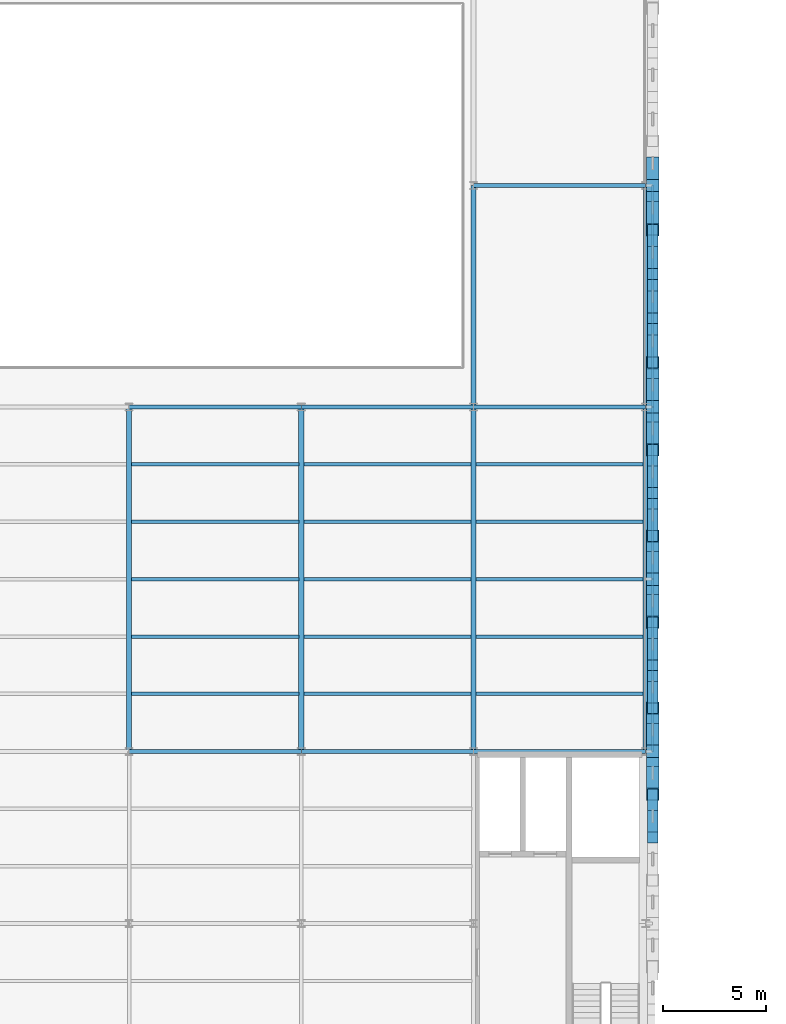
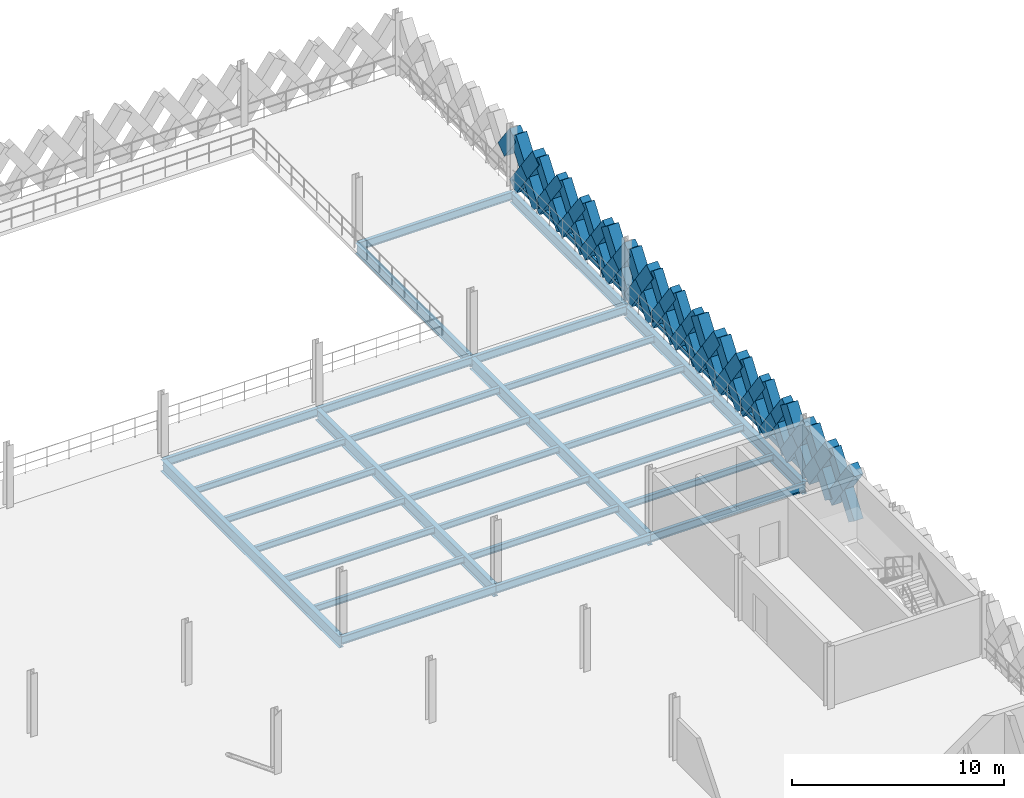
# One storey, part 30 of 74: 49 members, 28 beams.
"""IFC4 building model written with IfcOpenShell, lengths in metres."""

import ifcopenshell
import ifcopenshell.guid

model = None  # the IFC model being written
_history = None  # IfcOwnerHistory: only IFC2X3 demands one
_inside = {}  # id of a spatial element -> (the spatial element, [elements in it])
_under = {}  # id of a project, library or spatial element -> (it, [spatial elements below it])
_declared = {}  # id of a project -> (the project, [libraries it declares])
_typed = {}  # id of a type object -> (the type object, [elements of that type])
_made_of = {}  # id of a material, layer set ... -> (it, [elements and type objects made of it])


def new_model(schema):
    """Start an empty IFC model of exactly this schema.

    Asked for "IFC4X3", IfcOpenShell would pick the latest addendum, in which some entities
    have other attributes; the version numbers below select the first issue.
    IFC2X3 requires an IfcOwnerHistory on every rooted entity: one is made here for all.
    """
    global model, _history
    if schema == "IFC4X3":
        model = ifcopenshell.file(schema_version=(4, 3, 0, 0))
    else:
        model = ifcopenshell.file(schema=schema)
    _inside.clear()
    _under.clear()
    _declared.clear()
    _typed.clear()
    _made_of.clear()
    _history = None
    if model.schema == "IFC2X3":
        org = make("IfcOrganization", Name="unknown")
        user = make(
            "IfcPersonAndOrganization",
            ThePerson=make("IfcPerson", FamilyName="unknown"),
            TheOrganization=org,
        )
        app = make(
            "IfcApplication",
            ApplicationDeveloper=org,
            Version="unknown",
            ApplicationFullName="unknown",
            ApplicationIdentifier="unknown",
        )
        _history = make(
            "IfcOwnerHistory",
            OwningUser=user,
            OwningApplication=app,
            ChangeAction="ADDED",
            CreationDate=0,
        )
    return model


def make(cls, **values):
    """One entity of the class cls with the attributes given. An attribute that is None is left unset."""
    return model.create_entity(
        cls, **{name: value for name, value in values.items() if value is not None}
    )


def rooted(cls, **values):
    """An entity with a GlobalId (a new one), such as an element, a storey or a relation."""
    return make(cls, GlobalId=ifcopenshell.guid.new(), OwnerHistory=_history, **values)


def si_unit(unit_type, name, prefix=None):
    """IfcSIUnit, for example si_unit("LENGTHUNIT", "METRE", prefix="MILLI")."""
    return make("IfcSIUnit", UnitType=unit_type, Prefix=prefix, Name=name)


def assignment(units):
    """IfcUnitAssignment: the units of a project."""
    return None if units is None else make("IfcUnitAssignment", Units=units)


def point(xyz):
    """IfcCartesianPoint."""
    return None if xyz is None else make("IfcCartesianPoint", Coordinates=xyz)


def direction(xyz):
    """IfcDirection."""
    return None if xyz is None else make("IfcDirection", DirectionRatios=xyz)


def frame(location, z_axis=None, x_axis=None):
    """IfcAxis2Placement3D, a coordinate frame: its origin and axes. An axis left out is left unset."""
    return make(
        "IfcAxis2Placement3D",
        Location=point(location),
        Axis=direction(z_axis),
        RefDirection=direction(x_axis),
    )


def frame_2d(location, x_axis=None):
    """IfcAxis2Placement2D, a coordinate frame in the plane: its origin and x axis."""
    return make(
        "IfcAxis2Placement2D", Location=point(location), RefDirection=direction(x_axis)
    )


def origin():
    """The frame at (0, 0, 0) with its axes left unset."""
    return frame((0.0, 0.0, 0.0))


def origin_2d():
    """The frame at (0, 0) in the plane with its x axis left unset."""
    return frame_2d((0.0, 0.0))


def place(relative_to, where):
    """IfcLocalPlacement: puts the frame where relative to a parent placement (None: the world)."""
    return make(
        "IfcLocalPlacement", PlacementRelTo=relative_to, RelativePlacement=where
    )


def context(
    kind, dimensions, precision=None, world=None, true_north=None, identifier=None
):
    """IfcGeometricRepresentationContext, for example the 3D "Model" context."""
    return make(
        "IfcGeometricRepresentationContext",
        ContextIdentifier=identifier,
        ContextType=kind,
        CoordinateSpaceDimension=dimensions,
        Precision=precision,
        WorldCoordinateSystem=world,
        TrueNorth=true_north,
    )


def subcontext(parent, identifier, kind, view, scale=None):
    """IfcGeometricRepresentationSubContext, for example "Body" below "Model"."""
    return make(
        "IfcGeometricRepresentationSubContext",
        ContextIdentifier=identifier,
        ContextType=kind,
        ParentContext=parent,
        TargetScale=scale,
        TargetView=view,
    )


def project(units=None, contexts=None):
    """IfcProject with its units and contexts."""
    return rooted(
        "IfcProject",
        Name="project",
        RepresentationContexts=contexts,
        UnitsInContext=assignment(units),
    )


def spatial(cls, under=None, at=None, **own):
    """A site, building, storey or space (cls), placed at a placement, below another one or the project."""
    s = rooted(cls, ObjectPlacement=at, **own)
    if under is not None:
        _under.setdefault(under.id(), (under, []))[1].append(s)
    return s


def profile(cls, at=None, kind="AREA", **sizes):
    """A parametric profile (cls). Its sizes go by their IFC names, for example OverallWidth=200.0."""
    return make(cls, ProfileType=kind, Position=at, **sizes)


def rectangle(**sizes):
    """IfcRectangleProfileDef."""
    return profile("IfcRectangleProfileDef", **sizes)


def hollow_rectangle(**sizes):
    """IfcRectangleHollowProfileDef."""
    return profile("IfcRectangleHollowProfileDef", **sizes)


def i_section(**sizes):
    """IfcIShapeProfileDef."""
    return profile("IfcIShapeProfileDef", **sizes)


def extrude(swept, where, along, depth):
    """IfcExtrudedAreaSolid: the profile swept, set in the frame where, extruded along a direction by depth."""
    return make(
        "IfcExtrudedAreaSolid",
        SweptArea=swept,
        Position=where,
        ExtrudedDirection=direction(along),
        Depth=depth,
    )


def shape(context_of_items, identifier, shape_type, items):
    """IfcShapeRepresentation: the items that make up one representation, for example the "Body"."""
    return make(
        "IfcShapeRepresentation",
        ContextOfItems=context_of_items,
        RepresentationIdentifier=identifier,
        RepresentationType=shape_type,
        Items=items,
    )


def material(Name=None, Category=None):
    """IfcMaterial."""
    return make("IfcMaterial", Name=Name, Category=Category)


def material_profile(
    of_material, cross_section, Name=None, Category=None, Priority=None
):
    """IfcMaterialProfile: a cross section and its material."""
    return make(
        "IfcMaterialProfile",
        Name=Name,
        Material=of_material,
        Profile=cross_section,
        Priority=Priority,
        Category=Category,
    )


def profile_set(profiles, Name=None, composite=None):
    """IfcMaterialProfileSet."""
    return make(
        "IfcMaterialProfileSet",
        Name=Name,
        MaterialProfiles=profiles,
        CompositeProfile=composite,
    )


def made_of(thing, what):
    """Note that an element or type object is made of a material, layer set ...; save() writes the relation."""
    if what is not None:
        _made_of.setdefault(what.id(), (what, []))[1].append(thing)
    return thing


def type_object(cls, material=None, **own):
    """A type object (cls), such as IfcWallType, which elements share."""
    return made_of(rooted(cls, **own), material)


def element(
    cls,
    number,
    at=None,
    inside=None,
    cuts=None,
    type_object=None,
    material=None,
    context=None,
    identifier="Body",
    shape_type=None,
    held_by="IfcProductDefinitionShape",
    body=None,
    shapes=None,
    **own,
):
    """One element of the class cls, such as IfcWall. Its Tag is "e" and its number.

    at: its placement. inside: the storey or other place that contains it. cuts: it is an
    opening in that element (IfcRelVoidsElement). A single representation is given by context,
    identifier, shape_type and body (its items); several are given by shapes. held_by: the class
    of the entity that holds the representations. save() writes the other relations.
    """
    e = rooted(cls, Tag="e%d" % number, ObjectPlacement=at, **own)
    if body is not None:
        shapes = [shape(context, identifier, shape_type, body)]
    if shapes is not None:
        e.Representation = make(held_by, Representations=shapes)
    if inside is not None:
        _inside.setdefault(inside.id(), (inside, []))[1].append(e)
    if cuts is not None:
        rooted(
            "IfcRelVoidsElement", RelatingBuildingElement=cuts, RelatedOpeningElement=e
        )
    if type_object is not None:
        _typed.setdefault(type_object.id(), (type_object, []))[1].append(e)
    return made_of(e, material)


def aggregate(whole, parts):
    """IfcRelAggregates: a whole, such as a stair, and the parts it consists of."""
    return rooted("IfcRelAggregates", RelatingObject=whole, RelatedObjects=parts)


def save(model, path):
    """Write the relations noted so far, then the file.

    IfcRelAggregates (storeys below a building ...), IfcRelContainedInSpatialStructure (elements
    in a storey), IfcRelDefinesByType, IfcRelAssociatesMaterial and IfcRelDeclares: one each for
    every whole, place, type object, material and project.
    """
    for whole, parts in _under.values():
        aggregate(whole, parts)
    for where, things in _inside.values():
        rooted(
            "IfcRelContainedInSpatialStructure",
            RelatedElements=things,
            RelatingStructure=where,
        )
    for kind, things in _typed.values():
        rooted("IfcRelDefinesByType", RelatedObjects=things, RelatingType=kind)
    for what, things in _made_of.values():
        rooted("IfcRelAssociatesMaterial", RelatedObjects=things, RelatingMaterial=what)
    for by, libraries in _declared.values():
        rooted("IfcRelDeclares", RelatingContext=by, RelatedDefinitions=libraries)
    model.write(path)


model = new_model("IFC4")

# Units and contexts
model_context = context("Model", 3, precision=1e-05, world=origin(), true_north=direction((0.0, 1.0)))
body_context = subcontext(model_context, "Body", "Model", "MODEL_VIEW")
ifc_project = project(units=[si_unit("LENGTHUNIT", "METRE"), si_unit("AREAUNIT", "SQUARE_METRE"), si_unit("VOLUMEUNIT", "CUBIC_METRE"), si_unit("PLANEANGLEUNIT", "RADIAN"), si_unit("MASSUNIT", "GRAM", prefix="KILO"), si_unit("THERMODYNAMICTEMPERATUREUNIT", "KELVIN"), si_unit("POWERUNIT", "WATT")], contexts=[model_context])

# Site, building, storey
site_placement = place(None, origin())
site = spatial("IfcSite", under=ifc_project, at=site_placement, CompositionType="ELEMENT")
building_placement = place(site_placement, origin())
building = spatial("IfcBuilding", under=site, at=building_placement, Name="Tembeka Court Mobility Hub", CompositionType="ELEMENT")
storey_placement = place(building_placement, frame((0.0, 0.0, 12.60009765625)))
storey = spatial("IfcBuildingStorey", under=building, at=storey_placement, Name="L03", CompositionType="ELEMENT", Elevation=12.60009765625)

# Beams
ifc_material_1 = material(Name="Steel S355", Category="steel")
ifc_material_profile_1 = material_profile(ifc_material_1, i_section(OverallWidth=0.18994140625, OverallDepth=0.45703125, WebThickness=0.009033203125, FlangeThickness=0.014404296875, FilletRadius=0.01025390625, at=origin_2d()), Name="UKB 457x191x74")
ifc_profile_set_1 = profile_set([ifc_material_profile_1], Name="Steel S355")
beam_type_1 = type_object("IfcBeamType", Name="BM-B01", PredefinedType="BEAM", material=ifc_profile_set_1)
beam_1_placement = place(storey_placement, frame((67.199951171875, 80.39990234375, -0.448486328125), z_axis=(1.0, 0.0, 0.0), x_axis=(0.0, 1.0, 0.0)))
element("IfcBeam", 1, at=beam_1_placement, inside=storey, type_object=beam_type_1, Name="Beam B01 (BM-L03-X1789)", PredefinedType="BEAM", context=body_context, shape_type="SweptSolid", body=[
    extrude(i_section(OverallWidth=0.18994140625, OverallDepth=0.45703125, WebThickness=0.009033203125, FlangeThickness=0.014404296875, FilletRadius=0.01025390625, at=origin_2d()), origin(), (0.0, 0.0, 1.0), 8.400146484375),
])
for number, where, z_axis, x_axis, name in (
    (2, (75.60009765625, 80.39990234375, -0.448486328125), (1.0, 0.0, 0.0), (0.0, 1.0, 0.0), "Beam B01 (BM-L03-X1790)"),
    (3, (84.0, 80.39990234375, -0.448486328125), (1.0, 0.0, 0.0), (0.0, 1.0, 0.0), "Beam B01 (BM-L03-X1791)"),
):
    element("IfcBeam", number, at=place(storey_placement, frame(where, z_axis=z_axis, x_axis=x_axis)), inside=storey, type_object=beam_type_1, Name=name, PredefinedType="BEAM", context=body_context, shape_type="SweptSolid", body=[
        extrude(i_section(OverallWidth=0.18994140625, OverallDepth=0.45703125, WebThickness=0.009033203125, FlangeThickness=0.014404296875, FilletRadius=0.01025390625, at=origin_2d()), origin(), (0.0, 0.0, 1.0), 8.39990234375),
    ])
beam_2_placement = place(storey_placement, frame((67.199951171875, 97.199951171875, -0.448486328125), z_axis=(1.0, 0.0, 0.0), x_axis=(0.0, 1.0, 0.0)))
element("IfcBeam", 4, at=beam_2_placement, inside=storey, type_object=beam_type_1, Name="Beam B01 (BM-L03-X1800)", PredefinedType="BEAM", context=body_context, shape_type="SweptSolid", body=[
    extrude(i_section(OverallWidth=0.18994140625, OverallDepth=0.45703125, WebThickness=0.009033203125, FlangeThickness=0.014404296875, FilletRadius=0.01025390625, at=origin_2d()), origin(), (0.0, 0.0, 1.0), 8.400146484375),
])
for number, where, z_axis, x_axis, name in (
    (5, (75.60009765625, 97.199951171875, -0.448486328125), (1.0, 0.0, 0.0), (0.0, 1.0, 0.0), "Beam B01 (BM-L03-X1801)"),
    (6, (84.0, 97.199951171875, -0.448486328125), (1.0, 0.0, 0.0), (0.0, 1.0, 0.0), "Beam B01 (BM-L03-X1802)"),
    (7, (84.0, 108.0, -0.448486328125), (1.0, 0.0, 0.0), (0.0, 1.0, 0.0), "Beam B01 (BM-L03-X1805)"),
):
    element("IfcBeam", number, at=place(storey_placement, frame(where, z_axis=z_axis, x_axis=x_axis)), inside=storey, type_object=beam_type_1, Name=name, PredefinedType="BEAM", context=body_context, shape_type="SweptSolid", body=[
        extrude(i_section(OverallWidth=0.18994140625, OverallDepth=0.45703125, WebThickness=0.009033203125, FlangeThickness=0.014404296875, FilletRadius=0.01025390625, at=origin_2d()), origin(), (0.0, 0.0, 1.0), 8.39990234375),
    ])
ifc_material_profile_2 = material_profile(ifc_material_1, i_section(OverallWidth=0.25390625, OverallDepth=0.68408203125, WebThickness=0.012451171875, FlangeThickness=0.01904296875, FilletRadius=0.01513671875, at=origin_2d()), Name="UKB 686x254x140")
ifc_profile_set_2 = profile_set([ifc_material_profile_2], Name="Steel S355")
beam_type_2 = type_object("IfcBeamType", Name="BM-G01", PredefinedType="USERDEFINED", material=ifc_profile_set_2)
for number, where, z_axis, x_axis, name in (
    (8, (67.199951171875, 80.39990234375, -0.56201171875), (0.0, 1.0, 0.0), (-1.0, 0.0, 0.0), "Beam G01 (BM-L03-Y1891)"),
    (9, (75.60009765625, 80.39990234375, -0.56201171875), (0.0, 1.0, 0.0), (-1.0, 0.0, 0.0), "Beam G01 (BM-L03-Y1898)"),
    (10, (84.0, 80.39990234375, -0.56201171875), (0.0, 1.0, 0.0), (-1.0, 0.0, 0.0), "Beam G01 (BM-L03-Y1907)"),
    (11, (92.39990234375, 80.39990234375, -0.56201171875), (0.0, 1.0, 0.0), (-1.0, 0.0, 0.0), "Beam G01 (BM-L03-Y1918)"),
):
    element("IfcBeam", number, at=place(storey_placement, frame(where, z_axis=z_axis, x_axis=x_axis)), inside=storey, type_object=beam_type_2, Name=name, ObjectType="GIRDER", PredefinedType="USERDEFINED", context=body_context, shape_type="SweptSolid", body=[
        extrude(i_section(OverallWidth=0.25390625, OverallDepth=0.68408203125, WebThickness=0.012451171875, FlangeThickness=0.01904296875, FilletRadius=0.01513671875, at=origin_2d()), origin(), (0.0, 0.0, 1.0), 16.800048828125),
    ])
ifc_material_profile_3 = material_profile(ifc_material_1, i_section(OverallWidth=0.22900390625, OverallDepth=0.612060546875, WebThickness=0.011962890625, FlangeThickness=0.01953125, FilletRadius=0.0126953125, at=origin_2d()), Name="UKB 610x229x125")
ifc_profile_set_3 = profile_set([ifc_material_profile_3], Name="Steel S355")
beam_type_3 = type_object("IfcBeamType", Name="BM-G02", PredefinedType="USERDEFINED", material=ifc_profile_set_3)
for number, where, z_axis, x_axis, name in (
    (12, (84.0, 97.199951171875, -0.526123046875), (0.0, 1.0, 0.0), (-1.0, 0.0, 0.0), "Beam G02 (BM-L03-Y1908)"),
    (13, (92.39990234375, 97.199951171875, -0.526123046875), (0.0, 1.0, 0.0), (-1.0, 0.0, 0.0), "Beam G02 (BM-L03-Y1919)"),
):
    element("IfcBeam", number, at=place(storey_placement, frame(where, z_axis=z_axis, x_axis=x_axis)), inside=storey, type_object=beam_type_3, Name=name, ObjectType="GIRDER", PredefinedType="USERDEFINED", context=body_context, shape_type="SweptSolid", body=[
        extrude(i_section(OverallWidth=0.22900390625, OverallDepth=0.612060546875, WebThickness=0.011962890625, FlangeThickness=0.01953125, FilletRadius=0.0126953125, at=origin_2d()), origin(), (0.0, 0.0, 1.0), 10.800048828125),
    ])
ifc_material_profile_4 = material_profile(ifc_material_1, i_section(OverallWidth=0.172119140625, OverallDepth=0.35498046875, WebThickness=0.00732421875, FlangeThickness=0.011474609375, FilletRadius=0.01025390625, at=origin_2d()), Name="UKB 356x171x51")
ifc_profile_set_4 = profile_set([ifc_material_profile_4], Name="Steel S355")
beam_type_4 = type_object("IfcBeamType", Name="BM-J01", PredefinedType="JOIST", material=ifc_profile_set_4)
for number, where, z_axis, x_axis, name in (
    (14, (67.322021484375, 83.199951171875, -0.397705078125), (1.0, 0.0, 0.0), (0.0, 1.0, 0.0), "Beam J01 (JST-L03-2105)"),
    (15, (67.322021484375, 86.0, -0.397705078125), (1.0, 0.0, 0.0), (0.0, 1.0, 0.0), "Beam J01 (JST-L03-2106)"),
    (16, (67.322021484375, 88.800048828125, -0.397705078125), (1.0, 0.0, 0.0), (0.0, 1.0, 0.0), "Beam J01 (JST-L03-2107)"),
    (17, (67.322021484375, 91.60009765625, -0.397705078125), (1.0, 0.0, 0.0), (0.0, 1.0, 0.0), "Beam J01 (JST-L03-2108)"),
    (18, (67.322021484375, 94.39990234375, -0.397705078125), (1.0, 0.0, 0.0), (0.0, 1.0, 0.0), "Beam J01 (JST-L03-2109)"),
    (19, (75.721923828125, 83.199951171875, -0.397705078125), (1.0, 0.0, 0.0), (0.0, 1.0, 0.0), "Beam J01 (JST-L03-2125)"),
    (20, (75.721923828125, 86.0, -0.397705078125), (1.0, 0.0, 0.0), (0.0, 1.0, 0.0), "Beam J01 (JST-L03-2126)"),
    (21, (75.721923828125, 88.800048828125, -0.397705078125), (1.0, 0.0, 0.0), (0.0, 1.0, 0.0), "Beam J01 (JST-L03-2127)"),
    (22, (75.721923828125, 91.60009765625, -0.397705078125), (1.0, 0.0, 0.0), (0.0, 1.0, 0.0), "Beam J01 (JST-L03-2128)"),
    (23, (75.721923828125, 94.39990234375, -0.397705078125), (1.0, 0.0, 0.0), (0.0, 1.0, 0.0), "Beam J01 (JST-L03-2129)"),
    (24, (84.1220703125, 83.199951171875, -0.397705078125), (1.0, 0.0, 0.0), (0.0, 1.0, 0.0), "Beam J01 (JST-L03-2137)"),
    (25, (84.1220703125, 86.0, -0.397705078125), (1.0, 0.0, 0.0), (0.0, 1.0, 0.0), "Beam J01 (JST-L03-2138)"),
    (26, (84.1220703125, 88.800048828125, -0.397705078125), (1.0, 0.0, 0.0), (0.0, 1.0, 0.0), "Beam J01 (JST-L03-2139)"),
    (27, (84.1220703125, 91.60009765625, -0.397705078125), (1.0, 0.0, 0.0), (0.0, 1.0, 0.0), "Beam J01 (JST-L03-2140)"),
    (28, (84.1220703125, 94.39990234375, -0.397705078125), (1.0, 0.0, 0.0), (0.0, 1.0, 0.0), "Beam J01 (JST-L03-2141)"),
):
    element("IfcBeam", number, at=place(storey_placement, frame(where, z_axis=z_axis, x_axis=x_axis)), inside=storey, type_object=beam_type_4, Name=name, PredefinedType="JOIST", context=body_context, shape_type="SweptSolid", body=[
        extrude(i_section(OverallWidth=0.172119140625, OverallDepth=0.35498046875, WebThickness=0.00732421875, FlangeThickness=0.011474609375, FilletRadius=0.01025390625, at=origin_2d()), origin(), (0.0, 0.0, 1.0), 8.156005859375),
    ])

# Members
ifc_material_2 = material(Name="Precast concrete C45/55", Category="concrete")
ifc_material_profile_5 = material_profile(ifc_material_2, rectangle(XDim=0.5, YDim=0.64990234375, at=origin_2d()), Name="PC-DIAG 500x650")
ifc_profile_set_5 = profile_set([ifc_material_profile_5], Name="Precast concrete C45/55")
member_type_1 = type_object("IfcMemberType", Name="MEM-DL01", PredefinedType="BRACE", material=ifc_profile_set_5)
member_1_placement = place(storey_placement, frame((92.739990234375, 76.199951171875, 0.02001953125), z_axis=(0.0, 0.582576362011, 0.812775973086), x_axis=(-1.0, 0.0, 0.0)))
element("IfcMember", 29, at=member_1_placement, inside=storey, type_object=member_type_1, Name="Precast diamond lattice continuous strand DL01 (L03-569C)", PredefinedType="BRACE", context=body_context, shape_type="SweptSolid", body=[
    extrude(rectangle(XDim=0.5, YDim=0.64990234375, at=origin_2d()), origin(), (0.0, 0.0, 1.0), 3.604736328125),
])
member_2_placement = place(storey_placement, frame((92.739990234375, 78.300048828125, 0.02001953125), z_axis=(0.0, -0.582608431711, 0.812752985414), x_axis=(1.0, 0.0, 0.0)))
element("IfcMember", 30, at=member_2_placement, inside=storey, type_object=member_type_1, Name="Precast diamond lattice split lower strand DL01 (L03-569D1)", PredefinedType="BRACE", context=body_context, shape_type="SweptSolid", body=[
    extrude(rectangle(XDim=0.5, YDim=0.64990234375, at=origin_2d()), origin(), (0.0, 0.0, 1.0), 1.80224609375),
])
member_3_placement = place(storey_placement, frame((92.739990234375, 77.25, 1.48486328125), z_axis=(0.0, -0.582544294934, 0.812798956963), x_axis=(1.0, 0.0, 0.0)))
element("IfcMember", 31, at=member_3_placement, inside=storey, type_object=member_type_1, Name="Precast diamond lattice split upper strand DL01 (L03-569D2)", PredefinedType="BRACE", context=body_context, shape_type="SweptSolid", body=[
    extrude(rectangle(XDim=0.5, YDim=0.64990234375, at=origin_2d()), origin(), (0.0, 0.0, 1.0), 1.802490234375),
])
member_4_placement = place(storey_placement, frame((92.739990234375, 82.5, 0.02001953125), z_axis=(0.0, 0.582576362011, 0.812775973086), x_axis=(-1.0, 0.0, 0.0)))
element("IfcMember", 32, at=member_4_placement, inside=storey, type_object=member_type_1, Name="Precast diamond lattice continuous strand DL01 (L03-572C)", PredefinedType="BRACE", context=body_context, shape_type="SweptSolid", body=[
    extrude(rectangle(XDim=0.5, YDim=0.64990234375, at=origin_2d()), origin(), (0.0, 0.0, 1.0), 3.604736328125),
])
member_5_placement = place(storey_placement, frame((92.739990234375, 84.60009765625, 0.02001953125), z_axis=(0.0, -0.582608431711, 0.812752985414), x_axis=(1.0, 0.0, 0.0)))
element("IfcMember", 33, at=member_5_placement, inside=storey, type_object=member_type_1, Name="Precast diamond lattice split lower strand DL01 (L03-572D1)", PredefinedType="BRACE", context=body_context, shape_type="SweptSolid", body=[
    extrude(rectangle(XDim=0.5, YDim=0.64990234375, at=origin_2d()), origin(), (0.0, 0.0, 1.0), 1.80224609375),
])
member_6_placement = place(storey_placement, frame((92.739990234375, 83.550048828125, 1.48486328125), z_axis=(0.0, -0.582544294934, 0.812798956963), x_axis=(1.0, 0.0, 0.0)))
element("IfcMember", 34, at=member_6_placement, inside=storey, type_object=member_type_1, Name="Precast diamond lattice split upper strand DL01 (L03-572D2)", PredefinedType="BRACE", context=body_context, shape_type="SweptSolid", body=[
    extrude(rectangle(XDim=0.5, YDim=0.64990234375, at=origin_2d()), origin(), (0.0, 0.0, 1.0), 1.802490234375),
])
member_7_placement = place(storey_placement, frame((92.739990234375, 84.60009765625, 0.02001953125), z_axis=(0.0, 0.58253161945, 0.812808041509), x_axis=(-1.0, 0.0, 0.0)))
element("IfcMember", 35, at=member_7_placement, inside=storey, type_object=member_type_1, Name="Precast diamond lattice continuous strand DL01 (L03-573C)", PredefinedType="BRACE", context=body_context, shape_type="SweptSolid", body=[
    extrude(rectangle(XDim=0.5, YDim=0.64990234375, at=origin_2d()), origin(), (0.0, 0.0, 1.0), 3.604736328125),
])
member_8_placement = place(storey_placement, frame((92.739990234375, 86.699951171875, 0.02001953125), z_axis=(0.0, -0.582608431711, 0.812752985414), x_axis=(1.0, 0.0, 0.0)))
element("IfcMember", 36, at=member_8_placement, inside=storey, type_object=member_type_1, Name="Precast diamond lattice split lower strand DL01 (L03-573D1)", PredefinedType="BRACE", context=body_context, shape_type="SweptSolid", body=[
    extrude(rectangle(XDim=0.5, YDim=0.64990234375, at=origin_2d()), origin(), (0.0, 0.0, 1.0), 1.80224609375),
])
member_9_placement = place(storey_placement, frame((92.739990234375, 85.64990234375, 1.48486328125), z_axis=(0.0, -0.582454804382, 0.812863088627), x_axis=(1.0, 0.0, 0.0)))
element("IfcMember", 37, at=member_9_placement, inside=storey, type_object=member_type_1, Name="Precast diamond lattice split upper strand DL01 (L03-573D2)", PredefinedType="BRACE", context=body_context, shape_type="SweptSolid", body=[
    extrude(rectangle(XDim=0.5, YDim=0.64990234375, at=origin_2d()), origin(), (0.0, 0.0, 1.0), 1.802490234375),
])
member_10_placement = place(storey_placement, frame((92.739990234375, 90.89990234375, 0.02001953125), z_axis=(0.0, 0.582576362011, 0.812775973086), x_axis=(-1.0, 0.0, 0.0)))
element("IfcMember", 38, at=member_10_placement, inside=storey, type_object=member_type_1, Name="Precast diamond lattice continuous strand DL01 (L03-576C)", PredefinedType="BRACE", context=body_context, shape_type="SweptSolid", body=[
    extrude(rectangle(XDim=0.5, YDim=0.64990234375, at=origin_2d()), origin(), (0.0, 0.0, 1.0), 3.604736328125),
])
member_11_placement = place(storey_placement, frame((92.739990234375, 93.0, 0.02001953125), z_axis=(0.0, -0.582608431711, 0.812752985414), x_axis=(1.0, 0.0, 0.0)))
element("IfcMember", 39, at=member_11_placement, inside=storey, type_object=member_type_1, Name="Precast diamond lattice split lower strand DL01 (L03-576D1)", PredefinedType="BRACE", context=body_context, shape_type="SweptSolid", body=[
    extrude(rectangle(XDim=0.5, YDim=0.64990234375, at=origin_2d()), origin(), (0.0, 0.0, 1.0), 1.80224609375),
])
member_12_placement = place(storey_placement, frame((92.739990234375, 91.949951171875, 1.48486328125), z_axis=(0.0, -0.582544294934, 0.812798956963), x_axis=(1.0, 0.0, 0.0)))
element("IfcMember", 40, at=member_12_placement, inside=storey, type_object=member_type_1, Name="Precast diamond lattice split upper strand DL01 (L03-576D2)", PredefinedType="BRACE", context=body_context, shape_type="SweptSolid", body=[
    extrude(rectangle(XDim=0.5, YDim=0.64990234375, at=origin_2d()), origin(), (0.0, 0.0, 1.0), 1.802490234375),
])
member_13_placement = place(storey_placement, frame((92.739990234375, 93.0, 0.02001953125), z_axis=(0.0, 0.582576362011, 0.812775973086), x_axis=(-1.0, 0.0, 0.0)))
element("IfcMember", 41, at=member_13_placement, inside=storey, type_object=member_type_1, Name="Precast diamond lattice continuous strand DL01 (L03-577C)", PredefinedType="BRACE", context=body_context, shape_type="SweptSolid", body=[
    extrude(rectangle(XDim=0.5, YDim=0.64990234375, at=origin_2d()), origin(), (0.0, 0.0, 1.0), 3.604736328125),
])
member_14_placement = place(storey_placement, frame((92.739990234375, 95.10009765625, 0.02001953125), z_axis=(0.0, -0.582608431711, 0.812752985414), x_axis=(1.0, 0.0, 0.0)))
element("IfcMember", 42, at=member_14_placement, inside=storey, type_object=member_type_1, Name="Precast diamond lattice split lower strand DL01 (L03-577D1)", PredefinedType="BRACE", context=body_context, shape_type="SweptSolid", body=[
    extrude(rectangle(XDim=0.5, YDim=0.64990234375, at=origin_2d()), origin(), (0.0, 0.0, 1.0), 1.80224609375),
])
member_15_placement = place(storey_placement, frame((92.739990234375, 94.050048828125, 1.48486328125), z_axis=(0.0, -0.582544294934, 0.812798956963), x_axis=(1.0, 0.0, 0.0)))
element("IfcMember", 43, at=member_15_placement, inside=storey, type_object=member_type_1, Name="Precast diamond lattice split upper strand DL01 (L03-577D2)", PredefinedType="BRACE", context=body_context, shape_type="SweptSolid", body=[
    extrude(rectangle(XDim=0.5, YDim=0.64990234375, at=origin_2d()), origin(), (0.0, 0.0, 1.0), 1.802490234375),
])
member_16_placement = place(storey_placement, frame((92.739990234375, 99.360107421875, 0.02001953125), z_axis=(0.0, 0.593379766398, 0.804922637792), x_axis=(-1.0, 0.0, 0.0)))
element("IfcMember", 44, at=member_16_placement, inside=storey, type_object=member_type_1, Name="Precast diamond lattice continuous strand DL01 (L03-580C)", PredefinedType="BRACE", context=body_context, shape_type="SweptSolid", body=[
    extrude(rectangle(XDim=0.5, YDim=0.64990234375, at=origin_2d()), origin(), (0.0, 0.0, 1.0), 3.64013671875),
])
for number, where, z_axis, x_axis, name in (
    (45, (92.739990234375, 101.52001953125, 0.02001953125), (0.0, -0.593455255298, 0.804866982773), (1.0, 0.0, 0.0), "Precast diamond lattice split lower strand DL01 (L03-580D1)"),
    (46, (92.739990234375, 100.43994140625, 1.48486328125), (0.0, -0.593304274421, 0.804978284151), (1.0, 0.0, 0.0), "Precast diamond lattice split upper strand DL01 (L03-580D2)"),
):
    element("IfcMember", number, at=place(storey_placement, frame(where, z_axis=z_axis, x_axis=x_axis)), inside=storey, type_object=member_type_1, Name=name, PredefinedType="BRACE", context=body_context, shape_type="SweptSolid", body=[
        extrude(rectangle(XDim=0.5, YDim=0.64990234375, at=origin_2d()), origin(), (0.0, 0.0, 1.0), 1.820068359375),
    ])
member_17_placement = place(storey_placement, frame((92.739990234375, 101.52001953125, 0.02001953125), z_axis=(0.0, 0.593379766398, 0.804922637792), x_axis=(-1.0, 0.0, 0.0)))
element("IfcMember", 47, at=member_17_placement, inside=storey, type_object=member_type_1, Name="Precast diamond lattice continuous strand DL01 (L03-581C)", PredefinedType="BRACE", context=body_context, shape_type="SweptSolid", body=[
    extrude(rectangle(XDim=0.5, YDim=0.64990234375, at=origin_2d()), origin(), (0.0, 0.0, 1.0), 3.64013671875),
])
member_18_placement = place(storey_placement, frame((92.739990234375, 103.679931640625, 0.02001953125), z_axis=(0.0, -0.593368344659, 0.804931057642), x_axis=(1.0, 0.0, 0.0)))
element("IfcMember", 48, at=member_18_placement, inside=storey, type_object=member_type_1, Name="Precast diamond lattice split lower strand DL01 (L03-581D1)", PredefinedType="BRACE", context=body_context, shape_type="SweptSolid", body=[
    extrude(rectangle(XDim=0.5, YDim=0.64990234375, at=origin_2d()), origin(), (0.0, 0.0, 1.0), 1.81982421875),
])
member_19_placement = place(storey_placement, frame((92.739990234375, 102.60009765625, 1.48486328125), z_axis=(0.0, -0.593391185876, 0.804914219358), x_axis=(1.0, 0.0, 0.0)))
element("IfcMember", 49, at=member_19_placement, inside=storey, type_object=member_type_1, Name="Precast diamond lattice split upper strand DL01 (L03-581D2)", PredefinedType="BRACE", context=body_context, shape_type="SweptSolid", body=[
    extrude(rectangle(XDim=0.5, YDim=0.64990234375, at=origin_2d()), origin(), (0.0, 0.0, 1.0), 1.820068359375),
])
member_20_placement = place(storey_placement, frame((92.739990234375, 103.679931640625, 0.02001953125), z_axis=(0.0, 0.593423219328, 0.804890602978), x_axis=(-1.0, 0.0, 0.0)))
element("IfcMember", 50, at=member_20_placement, inside=storey, type_object=member_type_1, Name="Precast diamond lattice continuous strand DL01 (L03-582C)", PredefinedType="BRACE", context=body_context, shape_type="SweptSolid", body=[
    extrude(rectangle(XDim=0.5, YDim=0.64990234375, at=origin_2d()), origin(), (0.0, 0.0, 1.0), 3.64013671875),
])
for number, where, z_axis, x_axis, name in (
    (51, (92.739990234375, 105.840087890625, 0.02001953125), (0.0, -0.593455255298, 0.804866982773), (1.0, 0.0, 0.0), "Precast diamond lattice split lower strand DL01 (L03-582D1)"),
    (52, (92.739990234375, 104.760009765625, 1.48486328125), (0.0, -0.593391185876, 0.804914219358), (1.0, 0.0, 0.0), "Precast diamond lattice split upper strand DL01 (L03-582D2)"),
):
    element("IfcMember", number, at=place(storey_placement, frame(where, z_axis=z_axis, x_axis=x_axis)), inside=storey, type_object=member_type_1, Name=name, PredefinedType="BRACE", context=body_context, shape_type="SweptSolid", body=[
        extrude(rectangle(XDim=0.5, YDim=0.64990234375, at=origin_2d()), origin(), (0.0, 0.0, 1.0), 1.820068359375),
    ])
ifc_material_profile_6 = material_profile(ifc_material_2, rectangle(XDim=0.60009765625, YDim=0.75, at=origin_2d()), Name="PC-DIAG 600x750")
ifc_profile_set_6 = profile_set([ifc_material_profile_6], Name="Precast concrete C45/55")
member_type_2 = type_object("IfcMemberType", Name="MEM-DL02", PredefinedType="BRACE", material=ifc_profile_set_6)
member_21_placement = place(storey_placement, frame((92.739990234375, 78.300048828125, 0.02001953125), z_axis=(0.0, 0.58253161945, 0.812808041509), x_axis=(-1.0, 0.0, 0.0)))
element("IfcMember", 53, at=member_21_placement, inside=storey, type_object=member_type_2, Name="Precast diamond lattice continuous strand DL02 (L03-570C)", PredefinedType="BRACE", context=body_context, shape_type="SweptSolid", body=[
    extrude(rectangle(XDim=0.60009765625, YDim=0.75, at=origin_2d()), origin(), (0.0, 0.0, 1.0), 3.604736328125),
])
member_22_placement = place(storey_placement, frame((92.739990234375, 80.39990234375, 0.02001953125), z_axis=(0.0, -0.582518941428, 0.812817127574), x_axis=(1.0, 0.0, 0.0)))
element("IfcMember", 54, at=member_22_placement, inside=storey, type_object=member_type_2, Name="Precast diamond lattice split lower strand DL02 (L03-570D1)", PredefinedType="BRACE", context=body_context, shape_type="SweptSolid", body=[
    extrude(rectangle(XDim=0.60009765625, YDim=0.75, at=origin_2d()), origin(), (0.0, 0.0, 1.0), 1.80224609375),
])
member_23_placement = place(storey_placement, frame((92.739990234375, 79.35009765625, 1.48486328125), z_axis=(0.0, -0.582544294934, 0.812798956963), x_axis=(1.0, 0.0, 0.0)))
element("IfcMember", 55, at=member_23_placement, inside=storey, type_object=member_type_2, Name="Precast diamond lattice split upper strand DL02 (L03-570D2)", PredefinedType="BRACE", context=body_context, shape_type="SweptSolid", body=[
    extrude(rectangle(XDim=0.60009765625, YDim=0.75, at=origin_2d()), origin(), (0.0, 0.0, 1.0), 1.802490234375),
])
member_24_placement = place(storey_placement, frame((92.739990234375, 80.39990234375, 0.02001953125), z_axis=(0.0, 0.582576362011, 0.812775973086), x_axis=(-1.0, 0.0, 0.0)))
element("IfcMember", 56, at=member_24_placement, inside=storey, type_object=member_type_2, Name="Precast diamond lattice continuous strand DL02 (L03-571C)", PredefinedType="BRACE", context=body_context, shape_type="SweptSolid", body=[
    extrude(rectangle(XDim=0.60009765625, YDim=0.75, at=origin_2d()), origin(), (0.0, 0.0, 1.0), 3.604736328125),
])
member_25_placement = place(storey_placement, frame((92.739990234375, 82.5, 0.02001953125), z_axis=(0.0, -0.582608431711, 0.812752985414), x_axis=(1.0, 0.0, 0.0)))
element("IfcMember", 57, at=member_25_placement, inside=storey, type_object=member_type_2, Name="Precast diamond lattice split lower strand DL02 (L03-571D1)", PredefinedType="BRACE", context=body_context, shape_type="SweptSolid", body=[
    extrude(rectangle(XDim=0.60009765625, YDim=0.75, at=origin_2d()), origin(), (0.0, 0.0, 1.0), 1.80224609375),
])
member_26_placement = place(storey_placement, frame((92.739990234375, 81.449951171875, 1.48486328125), z_axis=(0.0, -0.582544294934, 0.812798956963), x_axis=(1.0, 0.0, 0.0)))
element("IfcMember", 58, at=member_26_placement, inside=storey, type_object=member_type_2, Name="Precast diamond lattice split upper strand DL02 (L03-571D2)", PredefinedType="BRACE", context=body_context, shape_type="SweptSolid", body=[
    extrude(rectangle(XDim=0.60009765625, YDim=0.75, at=origin_2d()), origin(), (0.0, 0.0, 1.0), 1.802490234375),
])
member_27_placement = place(storey_placement, frame((92.739990234375, 86.699951171875, 0.02001953125), z_axis=(0.0, 0.582576362011, 0.812775973086), x_axis=(-1.0, 0.0, 0.0)))
element("IfcMember", 59, at=member_27_placement, inside=storey, type_object=member_type_2, Name="Precast diamond lattice continuous strand DL02 (L03-574C)", PredefinedType="BRACE", context=body_context, shape_type="SweptSolid", body=[
    extrude(rectangle(XDim=0.60009765625, YDim=0.75, at=origin_2d()), origin(), (0.0, 0.0, 1.0), 3.604736328125),
])
member_28_placement = place(storey_placement, frame((92.739990234375, 88.800048828125, 0.02001953125), z_axis=(0.0, -0.582608431711, 0.812752985414), x_axis=(1.0, 0.0, 0.0)))
element("IfcMember", 60, at=member_28_placement, inside=storey, type_object=member_type_2, Name="Precast diamond lattice split lower strand DL02 (L03-574D1)", PredefinedType="BRACE", context=body_context, shape_type="SweptSolid", body=[
    extrude(rectangle(XDim=0.60009765625, YDim=0.75, at=origin_2d()), origin(), (0.0, 0.0, 1.0), 1.80224609375),
])
member_29_placement = place(storey_placement, frame((92.739990234375, 87.75, 1.48486328125), z_axis=(0.0, -0.582544294934, 0.812798956963), x_axis=(1.0, 0.0, 0.0)))
element("IfcMember", 61, at=member_29_placement, inside=storey, type_object=member_type_2, Name="Precast diamond lattice split upper strand DL02 (L03-574D2)", PredefinedType="BRACE", context=body_context, shape_type="SweptSolid", body=[
    extrude(rectangle(XDim=0.60009765625, YDim=0.75, at=origin_2d()), origin(), (0.0, 0.0, 1.0), 1.802490234375),
])
member_30_placement = place(storey_placement, frame((92.739990234375, 88.800048828125, 0.02001953125), z_axis=(0.0, 0.58253161945, 0.812808041509), x_axis=(-1.0, 0.0, 0.0)))
element("IfcMember", 62, at=member_30_placement, inside=storey, type_object=member_type_2, Name="Precast diamond lattice continuous strand DL02 (L03-575C)", PredefinedType="BRACE", context=body_context, shape_type="SweptSolid", body=[
    extrude(rectangle(XDim=0.60009765625, YDim=0.75, at=origin_2d()), origin(), (0.0, 0.0, 1.0), 3.604736328125),
])
member_31_placement = place(storey_placement, frame((92.739990234375, 90.89990234375, 0.02001953125), z_axis=(0.0, -0.582518941428, 0.812817127574), x_axis=(1.0, 0.0, 0.0)))
element("IfcMember", 63, at=member_31_placement, inside=storey, type_object=member_type_2, Name="Precast diamond lattice split lower strand DL02 (L03-575D1)", PredefinedType="BRACE", context=body_context, shape_type="SweptSolid", body=[
    extrude(rectangle(XDim=0.60009765625, YDim=0.75, at=origin_2d()), origin(), (0.0, 0.0, 1.0), 1.80224609375),
])
member_32_placement = place(storey_placement, frame((92.739990234375, 89.85009765625, 1.48486328125), z_axis=(0.0, -0.582544294934, 0.812798956963), x_axis=(1.0, 0.0, 0.0)))
element("IfcMember", 64, at=member_32_placement, inside=storey, type_object=member_type_2, Name="Precast diamond lattice split upper strand DL02 (L03-575D2)", PredefinedType="BRACE", context=body_context, shape_type="SweptSolid", body=[
    extrude(rectangle(XDim=0.60009765625, YDim=0.75, at=origin_2d()), origin(), (0.0, 0.0, 1.0), 1.802490234375),
])
member_33_placement = place(storey_placement, frame((92.739990234375, 95.10009765625, 0.02001953125), z_axis=(0.0, 0.58253161945, 0.812808041509), x_axis=(-1.0, 0.0, 0.0)))
element("IfcMember", 65, at=member_33_placement, inside=storey, type_object=member_type_2, Name="Precast diamond lattice continuous strand DL02 (L03-578C)", PredefinedType="BRACE", context=body_context, shape_type="SweptSolid", body=[
    extrude(rectangle(XDim=0.60009765625, YDim=0.75, at=origin_2d()), origin(), (0.0, 0.0, 1.0), 3.604736328125),
])
member_34_placement = place(storey_placement, frame((92.739990234375, 97.199951171875, 0.02001953125), z_axis=(0.0, -0.582608431711, 0.812752985414), x_axis=(1.0, 0.0, 0.0)))
element("IfcMember", 66, at=member_34_placement, inside=storey, type_object=member_type_2, Name="Precast diamond lattice split lower strand DL02 (L03-578D1)", PredefinedType="BRACE", context=body_context, shape_type="SweptSolid", body=[
    extrude(rectangle(XDim=0.60009765625, YDim=0.75, at=origin_2d()), origin(), (0.0, 0.0, 1.0), 1.80224609375),
])
member_35_placement = place(storey_placement, frame((92.739990234375, 96.14990234375, 1.48486328125), z_axis=(0.0, -0.582454804382, 0.812863088627), x_axis=(1.0, 0.0, 0.0)))
element("IfcMember", 67, at=member_35_placement, inside=storey, type_object=member_type_2, Name="Precast diamond lattice split upper strand DL02 (L03-578D2)", PredefinedType="BRACE", context=body_context, shape_type="SweptSolid", body=[
    extrude(rectangle(XDim=0.60009765625, YDim=0.75, at=origin_2d()), origin(), (0.0, 0.0, 1.0), 1.802490234375),
])
member_36_placement = place(storey_placement, frame((92.739990234375, 97.199951171875, 0.02001953125), z_axis=(0.0, 0.593423219328, 0.804890602978), x_axis=(-1.0, 0.0, 0.0)))
element("IfcMember", 68, at=member_36_placement, inside=storey, type_object=member_type_2, Name="Precast diamond lattice continuous strand DL02 (L03-579C)", PredefinedType="BRACE", context=body_context, shape_type="SweptSolid", body=[
    extrude(rectangle(XDim=0.60009765625, YDim=0.75, at=origin_2d()), origin(), (0.0, 0.0, 1.0), 3.64013671875),
])
for number, where, z_axis, x_axis, name in (
    (69, (92.739990234375, 99.360107421875, 0.02001953125), (0.0, -0.593455255298, 0.804866982773), (1.0, 0.0, 0.0), "Precast diamond lattice split lower strand DL02 (L03-579D1)"),
    (70, (92.739990234375, 98.280029296875, 1.48486328125), (0.0, -0.593391185876, 0.804914219358), (1.0, 0.0, 0.0), "Precast diamond lattice split upper strand DL02 (L03-579D2)"),
):
    element("IfcMember", number, at=place(storey_placement, frame(where, z_axis=z_axis, x_axis=x_axis)), inside=storey, type_object=member_type_2, Name=name, PredefinedType="BRACE", context=body_context, shape_type="SweptSolid", body=[
        extrude(rectangle(XDim=0.60009765625, YDim=0.75, at=origin_2d()), origin(), (0.0, 0.0, 1.0), 1.820068359375),
    ])
member_37_placement = place(storey_placement, frame((92.739990234375, 105.840087890625, 0.02001953125), z_axis=(0.0, 0.593379766398, 0.804922637792), x_axis=(-1.0, 0.0, 0.0)))
element("IfcMember", 71, at=member_37_placement, inside=storey, type_object=member_type_2, Name="Precast diamond lattice continuous strand DL02 (L03-583C)", PredefinedType="BRACE", context=body_context, shape_type="SweptSolid", body=[
    extrude(rectangle(XDim=0.60009765625, YDim=0.75, at=origin_2d()), origin(), (0.0, 0.0, 1.0), 3.64013671875),
])
for number, where, z_axis, x_axis, name in (
    (72, (92.739990234375, 108.0, 0.02001953125), (0.0, -0.593455255298, 0.804866982773), (1.0, 0.0, 0.0), "Precast diamond lattice split lower strand DL02 (L03-583D1)"),
    (73, (92.739990234375, 106.919921875, 1.48486328125), (0.0, -0.593304274421, 0.804978284151), (1.0, 0.0, 0.0), "Precast diamond lattice split upper strand DL02 (L03-583D2)"),
    (74, (92.739990234375, 109.080078125, 1.48486328125), (0.0, -0.593391185876, 0.804914219358), (1.0, 0.0, 0.0), "Precast diamond lattice split upper strand DL02 (L03-584D2)"),
):
    element("IfcMember", number, at=place(storey_placement, frame(where, z_axis=z_axis, x_axis=x_axis)), inside=storey, type_object=member_type_2, Name=name, PredefinedType="BRACE", context=body_context, shape_type="SweptSolid", body=[
        extrude(rectangle(XDim=0.60009765625, YDim=0.75, at=origin_2d()), origin(), (0.0, 0.0, 1.0), 1.820068359375),
    ])
ifc_material_profile_7 = material_profile(ifc_material_1, hollow_rectangle(XDim=0.14990234375, YDim=0.300048828125, WallThickness=0.010009765625, at=origin_2d()), Name="RHS 300x150x10")
ifc_profile_set_7 = profile_set([ifc_material_profile_7], Name="Steel S355")
member_type_3 = type_object("IfcMemberType", Name="MEM-ST03", PredefinedType="STRUT", material=ifc_profile_set_7)
member_38_placement = place(storey_placement, frame((92.739990234375, 80.39990234375, 0.02001953125), z_axis=(0.0, 1.0, 0.0), x_axis=(-1.0, 0.0, 0.0)))
element("IfcMember", 75, at=member_38_placement, inside=storey, type_object=member_type_3, Name="Proud lattice sill tie chord SR03 (L03-E-80)", PredefinedType="STRUT", context=body_context, shape_type="SweptSolid", body=[
    extrude(hollow_rectangle(XDim=0.14990234375, YDim=0.300048828125, WallThickness=0.010009765625, at=origin_2d()), origin(), (0.0, 0.0, 1.0), 8.400146484375),
])
member_39_placement = place(storey_placement, frame((92.739990234375, 88.800048828125, 0.02001953125), z_axis=(0.0, 1.0, 0.0), x_axis=(-1.0, 0.0, 0.0)))
element("IfcMember", 76, at=member_39_placement, inside=storey, type_object=member_type_3, Name="Proud lattice sill tie chord SR03 (L03-E-88)", PredefinedType="STRUT", context=body_context, shape_type="SweptSolid", body=[
    extrude(hollow_rectangle(XDim=0.14990234375, YDim=0.300048828125, WallThickness=0.010009765625, at=origin_2d()), origin(), (0.0, 0.0, 1.0), 8.39990234375),
])
member_40_placement = place(storey_placement, frame((92.739990234375, 97.199951171875, 0.02001953125), z_axis=(0.0, 1.0, 0.0), x_axis=(-1.0, 0.0, 0.0)))
element("IfcMember", 77, at=member_40_placement, inside=storey, type_object=member_type_3, Name="Proud lattice sill tie chord SR03 (L03-E-97)", PredefinedType="STRUT", context=body_context, shape_type="SweptSolid", body=[
    extrude(hollow_rectangle(XDim=0.14990234375, YDim=0.300048828125, WallThickness=0.010009765625, at=origin_2d()), origin(), (0.0, 0.0, 1.0), 10.800048828125),
])

save(model, "model.ifc")
